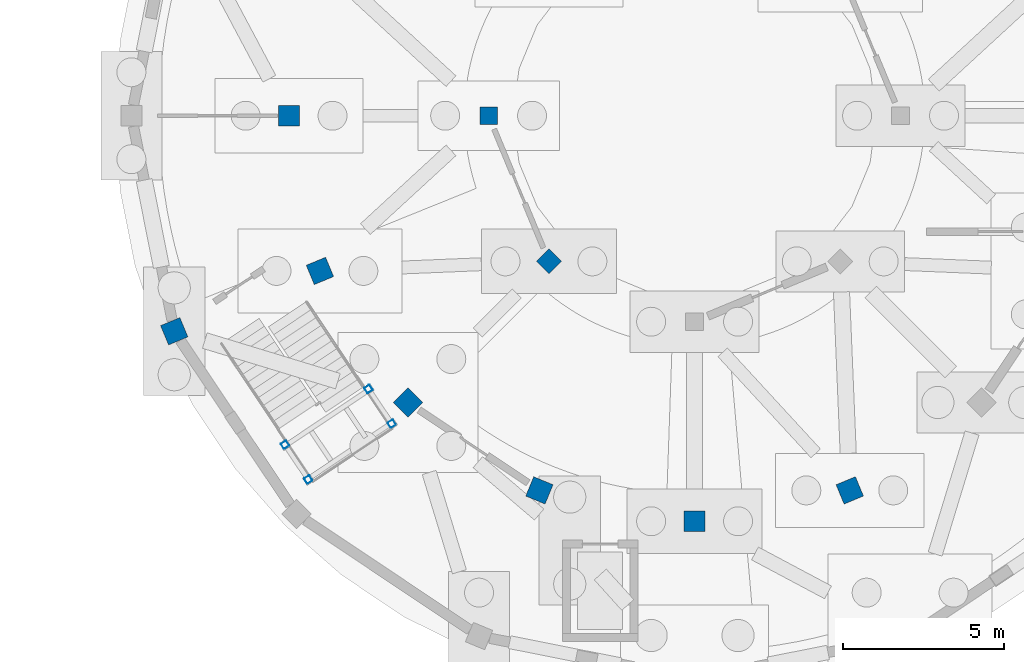
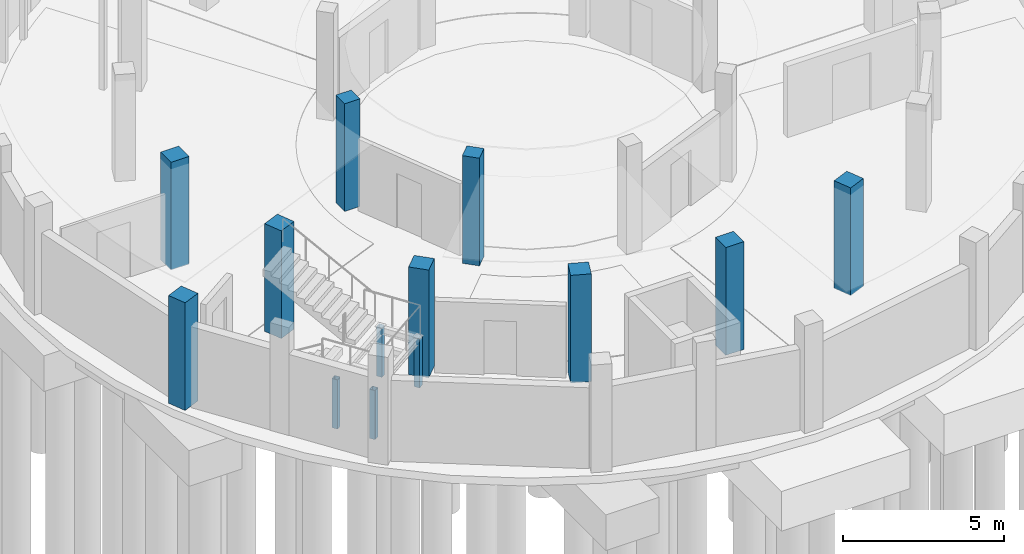
# One storey, part 29 of 58: 13 columns.
"""IFC4 building model written with IfcOpenShell, lengths in metres."""

import ifcopenshell
import ifcopenshell.guid

model = None  # the IFC model being written
_history = None  # IfcOwnerHistory: only IFC2X3 demands one
_inside = {}  # id of a spatial element -> (the spatial element, [elements in it])
_under = {}  # id of a project, library or spatial element -> (it, [spatial elements below it])
_declared = {}  # id of a project -> (the project, [libraries it declares])
_typed = {}  # id of a type object -> (the type object, [elements of that type])
_made_of = {}  # id of a material, layer set ... -> (it, [elements and type objects made of it])


def new_model(schema):
    """Start an empty IFC model of exactly this schema.

    Asked for "IFC4X3", IfcOpenShell would pick the latest addendum, in which some entities
    have other attributes; the version numbers below select the first issue.
    IFC2X3 requires an IfcOwnerHistory on every rooted entity: one is made here for all.
    """
    global model, _history
    if schema == "IFC4X3":
        model = ifcopenshell.file(schema_version=(4, 3, 0, 0))
    else:
        model = ifcopenshell.file(schema=schema)
    _inside.clear()
    _under.clear()
    _declared.clear()
    _typed.clear()
    _made_of.clear()
    _history = None
    if model.schema == "IFC2X3":
        org = make("IfcOrganization", Name="unknown")
        user = make(
            "IfcPersonAndOrganization",
            ThePerson=make("IfcPerson", FamilyName="unknown"),
            TheOrganization=org,
        )
        app = make(
            "IfcApplication",
            ApplicationDeveloper=org,
            Version="unknown",
            ApplicationFullName="unknown",
            ApplicationIdentifier="unknown",
        )
        _history = make(
            "IfcOwnerHistory",
            OwningUser=user,
            OwningApplication=app,
            ChangeAction="ADDED",
            CreationDate=0,
        )
    return model


def make(cls, **values):
    """One entity of the class cls with the attributes given. An attribute that is None is left unset."""
    return model.create_entity(
        cls, **{name: value for name, value in values.items() if value is not None}
    )


def rooted(cls, **values):
    """An entity with a GlobalId (a new one), such as an element, a storey or a relation."""
    return make(cls, GlobalId=ifcopenshell.guid.new(), OwnerHistory=_history, **values)


def si_unit(unit_type, name, prefix=None):
    """IfcSIUnit, for example si_unit("LENGTHUNIT", "METRE", prefix="MILLI")."""
    return make("IfcSIUnit", UnitType=unit_type, Prefix=prefix, Name=name)


def assignment(units):
    """IfcUnitAssignment: the units of a project."""
    return None if units is None else make("IfcUnitAssignment", Units=units)


def point(xyz):
    """IfcCartesianPoint."""
    return None if xyz is None else make("IfcCartesianPoint", Coordinates=xyz)


def direction(xyz):
    """IfcDirection."""
    return None if xyz is None else make("IfcDirection", DirectionRatios=xyz)


def frame(location, z_axis=None, x_axis=None):
    """IfcAxis2Placement3D, a coordinate frame: its origin and axes. An axis left out is left unset."""
    return make(
        "IfcAxis2Placement3D",
        Location=point(location),
        Axis=direction(z_axis),
        RefDirection=direction(x_axis),
    )


def frame_2d(location, x_axis=None):
    """IfcAxis2Placement2D, a coordinate frame in the plane: its origin and x axis."""
    return make(
        "IfcAxis2Placement2D", Location=point(location), RefDirection=direction(x_axis)
    )


def origin():
    """The frame at (0, 0, 0) with its axes left unset."""
    return frame((0.0, 0.0, 0.0))


def origin_2d():
    """The frame at (0, 0) in the plane with its x axis left unset."""
    return frame_2d((0.0, 0.0))


def place(relative_to, where):
    """IfcLocalPlacement: puts the frame where relative to a parent placement (None: the world)."""
    return make(
        "IfcLocalPlacement", PlacementRelTo=relative_to, RelativePlacement=where
    )


def context(
    kind, dimensions, precision=None, world=None, true_north=None, identifier=None
):
    """IfcGeometricRepresentationContext, for example the 3D "Model" context."""
    return make(
        "IfcGeometricRepresentationContext",
        ContextIdentifier=identifier,
        ContextType=kind,
        CoordinateSpaceDimension=dimensions,
        Precision=precision,
        WorldCoordinateSystem=world,
        TrueNorth=true_north,
    )


def subcontext(parent, identifier, kind, view, scale=None):
    """IfcGeometricRepresentationSubContext, for example "Body" below "Model"."""
    return make(
        "IfcGeometricRepresentationSubContext",
        ContextIdentifier=identifier,
        ContextType=kind,
        ParentContext=parent,
        TargetScale=scale,
        TargetView=view,
    )


def project(units=None, contexts=None):
    """IfcProject with its units and contexts."""
    return rooted(
        "IfcProject",
        Name="project",
        RepresentationContexts=contexts,
        UnitsInContext=assignment(units),
    )


def spatial(cls, under=None, at=None, **own):
    """A site, building, storey or space (cls), placed at a placement, below another one or the project."""
    s = rooted(cls, ObjectPlacement=at, **own)
    if under is not None:
        _under.setdefault(under.id(), (under, []))[1].append(s)
    return s


def profile(cls, at=None, kind="AREA", **sizes):
    """A parametric profile (cls). Its sizes go by their IFC names, for example OverallWidth=200.0."""
    return make(cls, ProfileType=kind, Position=at, **sizes)


def rectangle(**sizes):
    """IfcRectangleProfileDef."""
    return profile("IfcRectangleProfileDef", **sizes)


def hollow_rectangle(**sizes):
    """IfcRectangleHollowProfileDef."""
    return profile("IfcRectangleHollowProfileDef", **sizes)


def extrude(swept, where, along, depth):
    """IfcExtrudedAreaSolid: the profile swept, set in the frame where, extruded along a direction by depth."""
    return make(
        "IfcExtrudedAreaSolid",
        SweptArea=swept,
        Position=where,
        ExtrudedDirection=direction(along),
        Depth=depth,
    )


def shape(context_of_items, identifier, shape_type, items):
    """IfcShapeRepresentation: the items that make up one representation, for example the "Body"."""
    return make(
        "IfcShapeRepresentation",
        ContextOfItems=context_of_items,
        RepresentationIdentifier=identifier,
        RepresentationType=shape_type,
        Items=items,
    )


def material(Name=None, Category=None):
    """IfcMaterial."""
    return make("IfcMaterial", Name=Name, Category=Category)


def material_profile(
    of_material, cross_section, Name=None, Category=None, Priority=None
):
    """IfcMaterialProfile: a cross section and its material."""
    return make(
        "IfcMaterialProfile",
        Name=Name,
        Material=of_material,
        Profile=cross_section,
        Priority=Priority,
        Category=Category,
    )


def profile_set(profiles, Name=None, composite=None):
    """IfcMaterialProfileSet."""
    return make(
        "IfcMaterialProfileSet",
        Name=Name,
        MaterialProfiles=profiles,
        CompositeProfile=composite,
    )


def made_of(thing, what):
    """Note that an element or type object is made of a material, layer set ...; save() writes the relation."""
    if what is not None:
        _made_of.setdefault(what.id(), (what, []))[1].append(thing)
    return thing


def type_object(cls, material=None, **own):
    """A type object (cls), such as IfcWallType, which elements share."""
    return made_of(rooted(cls, **own), material)


def element(
    cls,
    number,
    at=None,
    inside=None,
    cuts=None,
    type_object=None,
    material=None,
    context=None,
    identifier="Body",
    shape_type=None,
    held_by="IfcProductDefinitionShape",
    body=None,
    shapes=None,
    **own,
):
    """One element of the class cls, such as IfcWall. Its Tag is "e" and its number.

    at: its placement. inside: the storey or other place that contains it. cuts: it is an
    opening in that element (IfcRelVoidsElement). A single representation is given by context,
    identifier, shape_type and body (its items); several are given by shapes. held_by: the class
    of the entity that holds the representations. save() writes the other relations.
    """
    e = rooted(cls, Tag="e%d" % number, ObjectPlacement=at, **own)
    if body is not None:
        shapes = [shape(context, identifier, shape_type, body)]
    if shapes is not None:
        e.Representation = make(held_by, Representations=shapes)
    if inside is not None:
        _inside.setdefault(inside.id(), (inside, []))[1].append(e)
    if cuts is not None:
        rooted(
            "IfcRelVoidsElement", RelatingBuildingElement=cuts, RelatedOpeningElement=e
        )
    if type_object is not None:
        _typed.setdefault(type_object.id(), (type_object, []))[1].append(e)
    return made_of(e, material)


def aggregate(whole, parts):
    """IfcRelAggregates: a whole, such as a stair, and the parts it consists of."""
    return rooted("IfcRelAggregates", RelatingObject=whole, RelatedObjects=parts)


def save(model, path):
    """Write the relations noted so far, then the file.

    IfcRelAggregates (storeys below a building ...), IfcRelContainedInSpatialStructure (elements
    in a storey), IfcRelDefinesByType, IfcRelAssociatesMaterial and IfcRelDeclares: one each for
    every whole, place, type object, material and project.
    """
    for whole, parts in _under.values():
        aggregate(whole, parts)
    for where, things in _inside.values():
        rooted(
            "IfcRelContainedInSpatialStructure",
            RelatedElements=things,
            RelatingStructure=where,
        )
    for kind, things in _typed.values():
        rooted("IfcRelDefinesByType", RelatedObjects=things, RelatingType=kind)
    for what, things in _made_of.values():
        rooted("IfcRelAssociatesMaterial", RelatedObjects=things, RelatingMaterial=what)
    for by, libraries in _declared.values():
        rooted("IfcRelDeclares", RelatingContext=by, RelatedDefinitions=libraries)
    model.write(path)


model = new_model("IFC4")

# Units and contexts
model_context = context("Model", 3, precision=1e-05, world=origin(), true_north=direction((0.0, 1.0)))
body_context = subcontext(model_context, "Body", "Model", "MODEL_VIEW")
ifc_project = project(units=[si_unit("LENGTHUNIT", "METRE"), si_unit("AREAUNIT", "SQUARE_METRE"), si_unit("VOLUMEUNIT", "CUBIC_METRE"), si_unit("PLANEANGLEUNIT", "RADIAN"), si_unit("MASSUNIT", "GRAM", prefix="KILO")], contexts=[model_context])

# Site, building, storey
site_placement = place(None, origin())
site = spatial("IfcSite", under=ifc_project, at=site_placement, CompositionType="ELEMENT")
building_placement = place(site_placement, origin())
building = spatial("IfcBuilding", under=site, at=building_placement, Name="Caldaven Crescent School", CompositionType="ELEMENT")
storey_placement = place(building_placement, frame((0.0, 0.0, -4.080078125)))
storey = spatial("IfcBuildingStorey", under=building, at=storey_placement, Name="B1", CompositionType="ELEMENT", Elevation=-4.080078125)

# Columns
ifc_material_1 = material(Name="Steel ASTM A572 Grade 50", Category="steel")
ifc_material_profile_1 = material_profile(ifc_material_1, hollow_rectangle(XDim=0.199951171875, YDim=0.199951171875, WallThickness=0.010009765625, InnerFilletRadius=0.010009765625, OuterFilletRadius=0.02001953125, at=origin_2d()), Name="HSS 200x200x10")
ifc_profile_set_1 = profile_set([ifc_material_profile_1], Name="Steel ASTM A572 Grade 50")
column_type_1 = type_object("IfcColumnType", Name="COL-HS20", PredefinedType="COLUMN", material=ifc_profile_set_1)
for number, where, z_axis, x_axis, name in (
    (1, (139.774658203125, 88.27734375, 0.0), (0.0, 0.0, 1.0), (0.55557023302, -0.831469612303, 0.0), "COL-STPOST-STB5-B1-A"),
    (2, (142.368896484375, 90.0107421875, 0.0), (0.0, 0.0, 1.0), (0.55557023302, -0.831469612303, 0.0), "COL-STPOST-STB5-B1-B"),
    (3, (140.4970703125, 87.196533203125, 0.0), (0.0, 0.0, 1.0), (0.55557023302, -0.831469612303, 0.0), "COL-STPOST-STB5-B1-C"),
    (4, (143.09130859375, 88.929931640625, 0.0), (0.0, 0.0, 1.0), (0.55557023302, -0.831469612303, 0.0), "COL-STPOST-STB5-B1-D"),
):
    element("IfcColumn", number, at=place(storey_placement, frame(where, z_axis=z_axis, x_axis=x_axis)), inside=storey, type_object=column_type_1, Name=name, PredefinedType="COLUMN", context=body_context, shape_type="SweptSolid", body=[
        extrude(hollow_rectangle(XDim=0.199951171875, YDim=0.199951171875, WallThickness=0.010009765625, InnerFilletRadius=0.010009765625, OuterFilletRadius=0.02001953125, at=origin_2d()), origin(), (0.0, 0.0, 1.0), 1.860107421875),
    ])
ifc_material_2 = material(Name="Concrete C35/45", Category="concrete")
ifc_material_profile_2 = material_profile(ifc_material_2, rectangle(XDim=0.550048828125, YDim=0.550048828125, at=origin_2d()), Name="RC 550x550")
ifc_profile_set_2 = profile_set([ifc_material_profile_2], Name="Concrete C35/45")
column_type_2 = type_object("IfcColumnType", Name="COL-RC55", PredefinedType="COLUMN", material=ifc_profile_set_2)
for number, where, z_axis, x_axis, name in (
    (5, (146.10009765625, 98.5, 0.0), (0.0, 0.0, 1.0), (-1.0, 0.0, 0.0), "COL-V1-B1-IN-08"),
    (6, (147.974609375, 93.974609375, 0.0), (0.0, 0.0, 1.0), (-0.707106781187, -0.707106781187, 0.0), "COL-V1-B1-IN-10"),
):
    element("IfcColumn", number, at=place(storey_placement, frame(where, z_axis=z_axis, x_axis=x_axis)), inside=storey, type_object=column_type_2, Name=name, PredefinedType="COLUMN", context=body_context, shape_type="SweptSolid", body=[
        extrude(rectangle(XDim=0.550048828125, YDim=0.550048828125, at=origin_2d()), origin(), (0.0, 0.0, 1.0), 4.080078125),
    ])
ifc_material_profile_3 = material_profile(ifc_material_2, rectangle(XDim=0.64990234375, YDim=0.64990234375, at=origin_2d()), Name="RC 650x650")
ifc_profile_set_3 = profile_set([ifc_material_profile_3], Name="Concrete C35/45")
column_type_3 = type_object("IfcColumnType", Name="COL-RC65", PredefinedType="COLUMN", material=ifc_profile_set_3)
for number, where, z_axis, x_axis, name in (
    (7, (139.89990234375, 98.5, 0.0), (0.0, 0.0, 1.0), (-1.0, 0.0, 0.0), "COL-V1-B1-GAL-08"),
    (8, (140.859130859375, 93.67822265625, 0.0), (0.0, 0.0, 1.0), (-0.923879532511, -0.382683432365, 0.0), "COL-V1-B1-GAL-09"),
    (9, (136.33203125, 91.802978515625, 0.0), (0.0, 0.0, 1.0), (-0.923879532511, -0.382683432365, 0.0), "COL-V1-B1-OUT-09"),
    (10, (143.590576171875, 89.590576171875, 0.0), (0.0, 0.0, 1.0), (-0.707106781187, -0.707106781187, 0.0), "COL-V1-B1-GAL-10"),
    (11, (147.67822265625, 86.859130859375, 0.0), (0.0, 0.0, 1.0), (-0.382683432365, -0.923879532511, 0.0), "COL-V1-B1-GAL-11"),
    (12, (152.5, 85.89990234375, 0.0), (0.0, 0.0, 1.0), (0.0, -1.0, 0.0), "COL-V1-B1-GAL-12"),
    (13, (157.32177734375, 86.859130859375, 0.0), (0.0, 0.0, 1.0), (0.382683432365, -0.923879532511, 0.0), "COL-V1-B1-GAL-13"),
):
    element("IfcColumn", number, at=place(storey_placement, frame(where, z_axis=z_axis, x_axis=x_axis)), inside=storey, type_object=column_type_3, Name=name, PredefinedType="COLUMN", context=body_context, shape_type="SweptSolid", body=[
        extrude(rectangle(XDim=0.64990234375, YDim=0.64990234375, at=origin_2d()), origin(), (0.0, 0.0, 1.0), 4.080078125),
    ])

save(model, "model.ifc")
